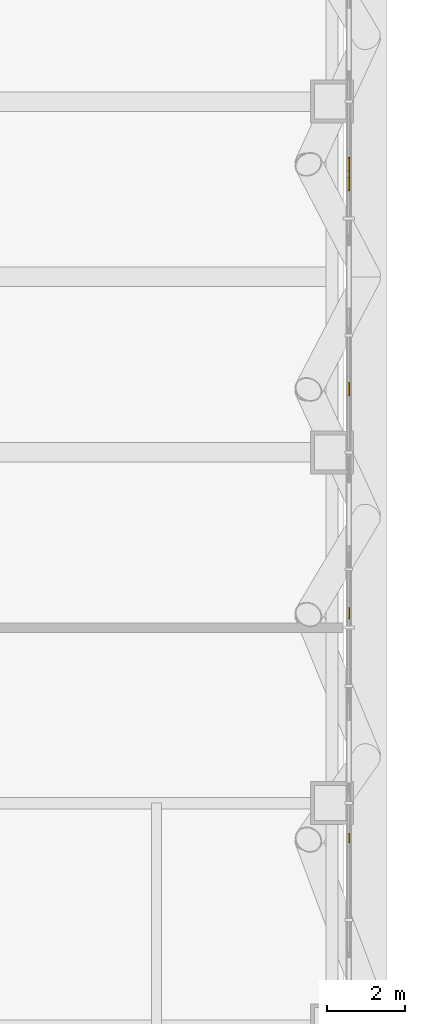
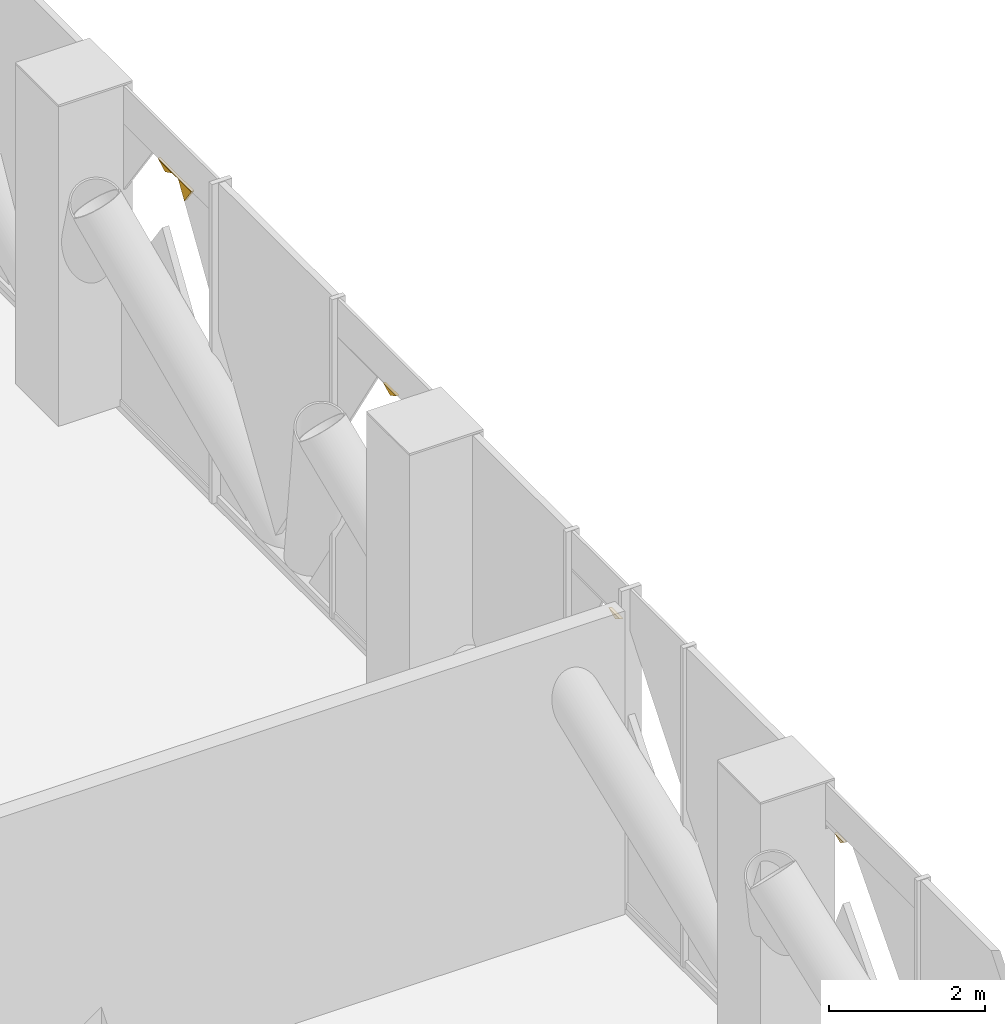
# One storey, part 24 of 29: 6 coverings.
"""IFC4 building model written with IfcOpenShell, lengths in metres."""

from ifc_helpers import new_model, si_unit, direction, frame, origin, place, context, subcontext, project, spatial, polyline, outline, extrude, material, layer, layer_set, type_object, element, save


model = new_model("IFC4")

# Units and contexts
model_context = context("Model", 3, precision=1e-05, world=origin(), true_north=direction((0.0, 1.0)))
body_context = subcontext(model_context, "Body", "Model", "MODEL_VIEW")
ifc_project = project(units=[si_unit("LENGTHUNIT", "METRE"), si_unit("AREAUNIT", "SQUARE_METRE"), si_unit("VOLUMEUNIT", "CUBIC_METRE"), si_unit("PLANEANGLEUNIT", "RADIAN"), si_unit("MASSUNIT", "GRAM", prefix="KILO")], contexts=[model_context])

# Site, building, storey
site_placement = place(None, origin())
site = spatial("IfcSite", under=ifc_project, at=site_placement, CompositionType="ELEMENT")
building_placement = place(site_placement, origin())
building = spatial("IfcBuilding", under=site, at=building_placement, Name="Malebo Sky Hospital", CompositionType="ELEMENT")
storey_placement = place(building_placement, frame((0.0, 0.0, 172.0)))
storey = spatial("IfcBuildingStorey", under=building, at=storey_placement, Name="L41", CompositionType="ELEMENT", Elevation=172.0)

# Coverings
ifc_material = material(Name="Anodised aluminium, natural silver insulated infill panel", Category="aluminium")
ifc_layer = layer(ifc_material, 0.0400390625)
ifc_layer_set = layer_set([ifc_layer], Name="BRACE INFILL PANEL 40")
covering_type = type_object("IfcCoveringType", Name="BRACE INFILL PANEL 40", PredefinedType="CLADDING", material=ifc_layer_set)
covering_1_placement = place(storey_placement, frame((84.135009765625, 64.3828125, 4.13623046875), z_axis=(0.0, 0.0, 1.0), x_axis=(0.0, -1.0, 0.0)))
element("IfcCovering", 1, at=covering_1_placement, inside=storey, type_object=covering_type, Name="Brace infill panel 7.4", PredefinedType="CLADDING", context=body_context, shape_type="SweptSolid", body=[
    extrude(outline(polyline([(-0.01025390625, 0.0), (0.166259765625, 0.245849609375), (-0.166259765625, 0.245849609375), (-0.01025390625, 0.0)])), frame((0.0, 0.02001953125, 0.0), z_axis=(0.0, -1.0, 0.0), x_axis=(1.0, 0.0, 0.0)), (0.0, 0.0, 1.0), 0.0400390625),
])
covering_2_placement = place(storey_placement, frame((84.135009765625, 64.87646484375, 4.29296875), z_axis=(0.0, 0.0, 1.0), x_axis=(0.0, -1.0, 0.0)))
element("IfcCovering", 2, at=covering_2_placement, inside=storey, type_object=covering_type, Name="Brace infill panel 7.5", PredefinedType="CLADDING", context=body_context, shape_type="SweptSolid", body=[
    extrude(outline(polyline([(-0.00927734375, 0.0), (0.171875, 0.089111328125), (-0.171875, 0.089111328125), (-0.00927734375, 0.0)])), frame((0.0, 0.02001953125, 0.0), z_axis=(0.0, -1.0, 0.0), x_axis=(1.0, 0.0, 0.0)), (0.0, 0.0, 1.0), 0.0400390625),
])
covering_3_placement = place(storey_placement, frame((84.135009765625, 64.639892578125, 4.38232421875), z_axis=(0.0, 0.0, 1.0), x_axis=(0.0, -1.0, 0.0)))
element("IfcCovering", 3, at=covering_3_placement, inside=storey, type_object=covering_type, Name="Brace infill panel 7.6", PredefinedType="CLADDING", context=body_context, shape_type="SweptSolid", body=[
    extrude(outline(polyline([(-0.408447265625, 0.0), (0.42333984375, 0.0), (0.43310546875, 0.013427734375), (-0.43310546875, 0.013427734375), (-0.408447265625, 0.0)])), frame((0.0, 0.02001953125, 0.0), z_axis=(0.0, -1.0, 0.0), x_axis=(1.0, 0.0, 0.0)), (0.0, 0.0, 1.0), 0.0400390625),
])
covering_4_placement = place(storey_placement, frame((84.135009765625, 59.12353515625, 4.29296875), z_axis=(0.0, 0.0, 1.0), x_axis=(0.0, -1.0, 0.0)))
element("IfcCovering", 4, at=covering_4_placement, inside=storey, type_object=covering_type, Name="Brace infill panel 9.4", PredefinedType="CLADDING", context=body_context, shape_type="SweptSolid", body=[
    extrude(outline(polyline([(0.00927734375, 0.0), (0.171875, 0.089111328125), (-0.171875, 0.089111328125), (0.00927734375, 0.0)])), frame((0.0, 0.02001953125, 0.0), z_axis=(0.0, -1.0, 0.0), x_axis=(1.0, 0.0, 0.0)), (0.0, 0.0, 1.0), 0.0400390625),
])
covering_5_placement = place(storey_placement, frame((84.135009765625, 53.365966796875, 4.29296875), z_axis=(0.0, 0.0, 1.0), x_axis=(0.0, -1.0, 0.0)))
element("IfcCovering", 5, at=covering_5_placement, inside=storey, type_object=covering_type, Name="Brace infill panel 11.3", PredefinedType="CLADDING", context=body_context, shape_type="SweptSolid", body=[
    extrude(outline(polyline([(0.023681640625, 0.0), (0.1474609375, 0.074951171875), (-0.1474609375, 0.074951171875), (0.023681640625, 0.0)])), frame((0.0, 0.02001953125, 0.0), z_axis=(0.0, -1.0, 0.0), x_axis=(1.0, 0.0, 0.0)), (0.0, 0.0, 1.0), 0.0400390625),
])
covering_6_placement = place(storey_placement, frame((84.135009765625, 47.602783203125, 4.2919921875), z_axis=(0.0, 0.0, 1.0), x_axis=(0.0, -1.0, 0.0)))
element("IfcCovering", 6, at=covering_6_placement, inside=storey, type_object=covering_type, Name="Brace infill panel 14.4", PredefinedType="CLADDING", context=body_context, shape_type="SweptSolid", body=[
    extrude(outline(polyline([(0.0322265625, 0.0), (0.122802734375, 0.060302734375), (-0.122802734375, 0.060302734375), (0.0322265625, 0.0)])), frame((0.0, 0.02001953125, 0.0), z_axis=(0.0, -1.0, 0.0), x_axis=(1.0, 0.0, 0.0)), (0.0, 0.0, 1.0), 0.0400390625),
])

save(model, "model.ifc")
